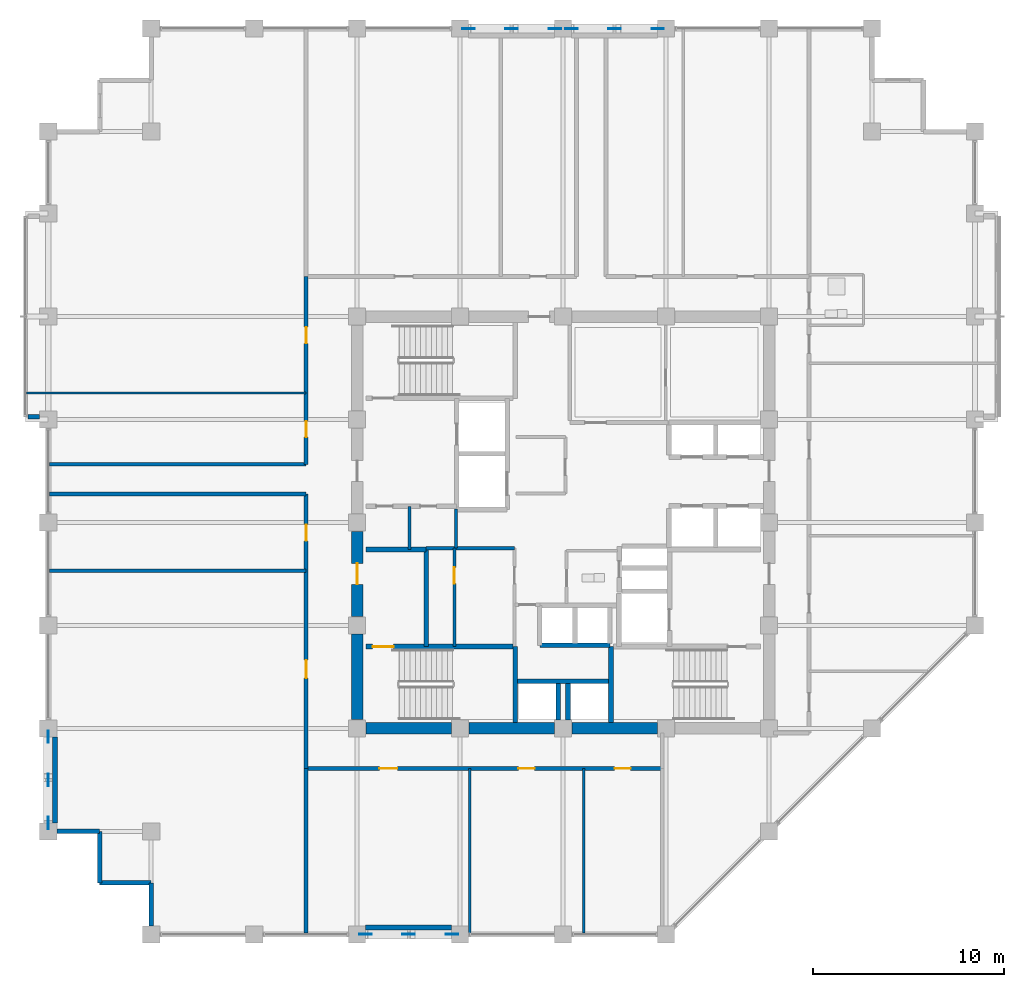
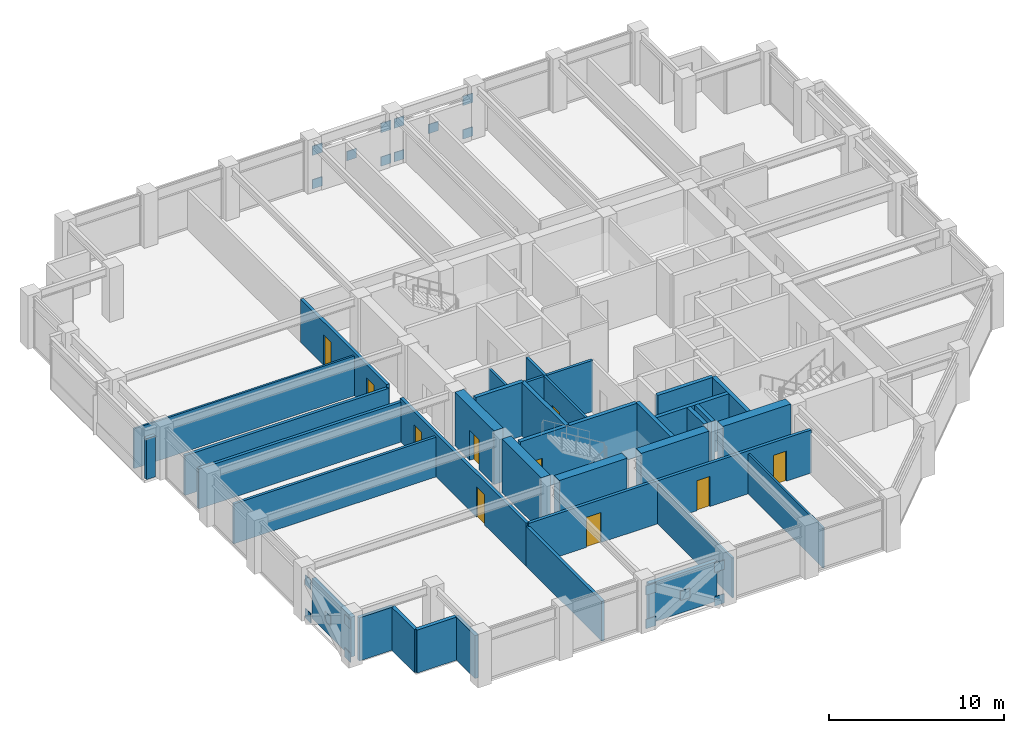
# One storey, part 26 of 32: 35 walls, 20 plates, 10 doors, 10 openings.
"""IFC4 building model written with IfcOpenShell, lengths in metres."""

import ifcopenshell
import ifcopenshell.guid

model = None  # the IFC model being written
_history = None  # IfcOwnerHistory: only IFC2X3 demands one
_inside = {}  # id of a spatial element -> (the spatial element, [elements in it])
_under = {}  # id of a project, library or spatial element -> (it, [spatial elements below it])
_declared = {}  # id of a project -> (the project, [libraries it declares])
_typed = {}  # id of a type object -> (the type object, [elements of that type])
_made_of = {}  # id of a material, layer set ... -> (it, [elements and type objects made of it])


def new_model(schema):
    """Start an empty IFC model of exactly this schema.

    Asked for "IFC4X3", IfcOpenShell would pick the latest addendum, in which some entities
    have other attributes; the version numbers below select the first issue.
    IFC2X3 requires an IfcOwnerHistory on every rooted entity: one is made here for all.
    """
    global model, _history
    if schema == "IFC4X3":
        model = ifcopenshell.file(schema_version=(4, 3, 0, 0))
    else:
        model = ifcopenshell.file(schema=schema)
    _inside.clear()
    _under.clear()
    _declared.clear()
    _typed.clear()
    _made_of.clear()
    _history = None
    if model.schema == "IFC2X3":
        org = make("IfcOrganization", Name="unknown")
        user = make(
            "IfcPersonAndOrganization",
            ThePerson=make("IfcPerson", FamilyName="unknown"),
            TheOrganization=org,
        )
        app = make(
            "IfcApplication",
            ApplicationDeveloper=org,
            Version="unknown",
            ApplicationFullName="unknown",
            ApplicationIdentifier="unknown",
        )
        _history = make(
            "IfcOwnerHistory",
            OwningUser=user,
            OwningApplication=app,
            ChangeAction="ADDED",
            CreationDate=0,
        )
    return model


def make(cls, **values):
    """One entity of the class cls with the attributes given. An attribute that is None is left unset."""
    return model.create_entity(
        cls, **{name: value for name, value in values.items() if value is not None}
    )


def rooted(cls, **values):
    """An entity with a GlobalId (a new one), such as an element, a storey or a relation."""
    return make(cls, GlobalId=ifcopenshell.guid.new(), OwnerHistory=_history, **values)


def si_unit(unit_type, name, prefix=None):
    """IfcSIUnit, for example si_unit("LENGTHUNIT", "METRE", prefix="MILLI")."""
    return make("IfcSIUnit", UnitType=unit_type, Prefix=prefix, Name=name)


def assignment(units):
    """IfcUnitAssignment: the units of a project."""
    return None if units is None else make("IfcUnitAssignment", Units=units)


def point(xyz):
    """IfcCartesianPoint."""
    return None if xyz is None else make("IfcCartesianPoint", Coordinates=xyz)


def direction(xyz):
    """IfcDirection."""
    return None if xyz is None else make("IfcDirection", DirectionRatios=xyz)


def frame(location, z_axis=None, x_axis=None):
    """IfcAxis2Placement3D, a coordinate frame: its origin and axes. An axis left out is left unset."""
    return make(
        "IfcAxis2Placement3D",
        Location=point(location),
        Axis=direction(z_axis),
        RefDirection=direction(x_axis),
    )


def frame_2d(location, x_axis=None):
    """IfcAxis2Placement2D, a coordinate frame in the plane: its origin and x axis."""
    return make(
        "IfcAxis2Placement2D", Location=point(location), RefDirection=direction(x_axis)
    )


def origin():
    """The frame at (0, 0, 0) with its axes left unset."""
    return frame((0.0, 0.0, 0.0))


def origin_2d():
    """The frame at (0, 0) in the plane with its x axis left unset."""
    return frame_2d((0.0, 0.0))


def place(relative_to, where):
    """IfcLocalPlacement: puts the frame where relative to a parent placement (None: the world)."""
    return make(
        "IfcLocalPlacement", PlacementRelTo=relative_to, RelativePlacement=where
    )


def context(
    kind, dimensions, precision=None, world=None, true_north=None, identifier=None
):
    """IfcGeometricRepresentationContext, for example the 3D "Model" context."""
    return make(
        "IfcGeometricRepresentationContext",
        ContextIdentifier=identifier,
        ContextType=kind,
        CoordinateSpaceDimension=dimensions,
        Precision=precision,
        WorldCoordinateSystem=world,
        TrueNorth=true_north,
    )


def subcontext(parent, identifier, kind, view, scale=None):
    """IfcGeometricRepresentationSubContext, for example "Body" below "Model"."""
    return make(
        "IfcGeometricRepresentationSubContext",
        ContextIdentifier=identifier,
        ContextType=kind,
        ParentContext=parent,
        TargetScale=scale,
        TargetView=view,
    )


def project(units=None, contexts=None):
    """IfcProject with its units and contexts."""
    return rooted(
        "IfcProject",
        Name="project",
        RepresentationContexts=contexts,
        UnitsInContext=assignment(units),
    )


def spatial(cls, under=None, at=None, **own):
    """A site, building, storey or space (cls), placed at a placement, below another one or the project."""
    s = rooted(cls, ObjectPlacement=at, **own)
    if under is not None:
        _under.setdefault(under.id(), (under, []))[1].append(s)
    return s


def profile(cls, at=None, kind="AREA", **sizes):
    """A parametric profile (cls). Its sizes go by their IFC names, for example OverallWidth=200.0."""
    return make(cls, ProfileType=kind, Position=at, **sizes)


def rectangle(**sizes):
    """IfcRectangleProfileDef."""
    return profile("IfcRectangleProfileDef", **sizes)


def extrude(swept, where, along, depth):
    """IfcExtrudedAreaSolid: the profile swept, set in the frame where, extruded along a direction by depth."""
    return make(
        "IfcExtrudedAreaSolid",
        SweptArea=swept,
        Position=where,
        ExtrudedDirection=direction(along),
        Depth=depth,
    )


def shape(context_of_items, identifier, shape_type, items):
    """IfcShapeRepresentation: the items that make up one representation, for example the "Body"."""
    return make(
        "IfcShapeRepresentation",
        ContextOfItems=context_of_items,
        RepresentationIdentifier=identifier,
        RepresentationType=shape_type,
        Items=items,
    )


def material(Name=None, Category=None):
    """IfcMaterial."""
    return make("IfcMaterial", Name=Name, Category=Category)


def layer(
    of_material, thickness, ventilated=None, Name=None, Category=None, Priority=None
):
    """IfcMaterialLayer: one layer of a wall or slab, of a material (None: an air gap)."""
    return make(
        "IfcMaterialLayer",
        Material=of_material,
        LayerThickness=thickness,
        IsVentilated=ventilated,
        Name=Name,
        Category=Category,
        Priority=Priority,
    )


def layer_set(layers, Name=None):
    """IfcMaterialLayerSet."""
    return make("IfcMaterialLayerSet", MaterialLayers=layers, LayerSetName=Name)


def made_of(thing, what):
    """Note that an element or type object is made of a material, layer set ...; save() writes the relation."""
    if what is not None:
        _made_of.setdefault(what.id(), (what, []))[1].append(thing)
    return thing


def type_object(cls, material=None, **own):
    """A type object (cls), such as IfcWallType, which elements share."""
    return made_of(rooted(cls, **own), material)


def element(
    cls,
    number,
    at=None,
    inside=None,
    cuts=None,
    type_object=None,
    material=None,
    context=None,
    identifier="Body",
    shape_type=None,
    held_by="IfcProductDefinitionShape",
    body=None,
    shapes=None,
    **own,
):
    """One element of the class cls, such as IfcWall. Its Tag is "e" and its number.

    at: its placement. inside: the storey or other place that contains it. cuts: it is an
    opening in that element (IfcRelVoidsElement). A single representation is given by context,
    identifier, shape_type and body (its items); several are given by shapes. held_by: the class
    of the entity that holds the representations. save() writes the other relations.
    """
    e = rooted(cls, Tag="e%d" % number, ObjectPlacement=at, **own)
    if body is not None:
        shapes = [shape(context, identifier, shape_type, body)]
    if shapes is not None:
        e.Representation = make(held_by, Representations=shapes)
    if inside is not None:
        _inside.setdefault(inside.id(), (inside, []))[1].append(e)
    if cuts is not None:
        rooted(
            "IfcRelVoidsElement", RelatingBuildingElement=cuts, RelatedOpeningElement=e
        )
    if type_object is not None:
        _typed.setdefault(type_object.id(), (type_object, []))[1].append(e)
    return made_of(e, material)


def fill(opening, filler):
    """IfcRelFillsElement: the door or window that sits in an opening."""
    return rooted(
        "IfcRelFillsElement",
        RelatingOpeningElement=opening,
        RelatedBuildingElement=filler,
    )


def aggregate(whole, parts):
    """IfcRelAggregates: a whole, such as a stair, and the parts it consists of."""
    return rooted("IfcRelAggregates", RelatingObject=whole, RelatedObjects=parts)


def save(model, path):
    """Write the relations noted so far, then the file.

    IfcRelAggregates (storeys below a building ...), IfcRelContainedInSpatialStructure (elements
    in a storey), IfcRelDefinesByType, IfcRelAssociatesMaterial and IfcRelDeclares: one each for
    every whole, place, type object, material and project.
    """
    for whole, parts in _under.values():
        aggregate(whole, parts)
    for where, things in _inside.values():
        rooted(
            "IfcRelContainedInSpatialStructure",
            RelatedElements=things,
            RelatingStructure=where,
        )
    for kind, things in _typed.values():
        rooted("IfcRelDefinesByType", RelatedObjects=things, RelatingType=kind)
    for what, things in _made_of.values():
        rooted("IfcRelAssociatesMaterial", RelatedObjects=things, RelatingMaterial=what)
    for by, libraries in _declared.values():
        rooted("IfcRelDeclares", RelatingContext=by, RelatedDefinitions=libraries)
    model.write(path)


model = new_model("IFC4")

# Units and contexts
model_context = context("Model", 3, precision=1e-05, world=origin(), true_north=direction((0.0, 1.0)))
body_context = subcontext(model_context, "Body", "Model", "MODEL_VIEW")
ifc_project = project(units=[si_unit("LENGTHUNIT", "METRE"), si_unit("AREAUNIT", "SQUARE_METRE"), si_unit("VOLUMEUNIT", "CUBIC_METRE"), si_unit("PLANEANGLEUNIT", "RADIAN"), si_unit("MASSUNIT", "GRAM", prefix="KILO")], contexts=[model_context])

# Site, building, storey
site_placement = place(None, origin())
site = spatial("IfcSite", under=ifc_project, at=site_placement, CompositionType="ELEMENT")
building_placement = place(site_placement, origin())
building = spatial("IfcBuilding", under=site, at=building_placement, Name="Surkhivell Harbour Commons", CompositionType="ELEMENT")
storey_placement = place(building_placement, frame((0.0, 0.0, 189.75)))
storey = spatial("IfcBuildingStorey", under=building, at=storey_placement, Name="L49", CompositionType="ELEMENT", Elevation=189.75)

# Plates
ifc_material_1 = material(Name="Steel S460", Category="steel")
ifc_layer_1 = layer(ifc_material_1, 0.044921875)
ifc_layer_set_1 = layer_set([ifc_layer_1], Name="Steel S460")
plate_type = type_object("IfcPlateType", Name="PLT-GUS-650", PredefinedType="USERDEFINED", material=ifc_layer_set_1)
for number, where, z_axis, x_axis, name in (
    (1, (-4.965087890625, 25.89990234375, -0.08935546875), (0.0, 0.0, 1.0), (1.0, 0.0, 0.0), "L49 Perimeter Mega-Brace MB- Corner Gusset N-1"),
    (2, (-0.43505859375, 25.89990234375, -0.08935546875), (0.0, 0.0, 1.0), (1.0, 0.0, 0.0), "L49 Perimeter Mega-Brace MB- Corner Gusset N-2"),
    (3, (-4.965087890625, 25.89990234375, 2.25146484375), (0.0, 0.0, 1.0), (1.0, 0.0, 0.0), "L49 Perimeter Mega-Brace MB- Corner Gusset N-3"),
    (4, (-0.43505859375, 25.89990234375, 2.25146484375), (0.0, 0.0, 1.0), (1.0, 0.0, 0.0), "L49 Perimeter Mega-Brace MB- Corner Gusset N-4"),
    (5, (-2.699951171875, 25.89990234375, 1.0810546875), (0.0, 0.0, 1.0), (1.0, 0.0, 0.0), "L49 Perimeter Mega-Brace MB- Central Crossing Gusset N"),
    (6, (0.43505859375, 25.89990234375, -0.08935546875), (0.0, 0.0, 1.0), (1.0, 0.0, 0.0), "L49 Perimeter Mega-Brace MB- Corner Gusset N2-1"),
    (7, (4.965087890625, 25.89990234375, -0.08935546875), (0.0, 0.0, 1.0), (1.0, 0.0, 0.0), "L49 Perimeter Mega-Brace MB- Corner Gusset N2-2"),
    (8, (0.43505859375, 25.89990234375, 2.25146484375), (0.0, 0.0, 1.0), (1.0, 0.0, 0.0), "L49 Perimeter Mega-Brace MB- Corner Gusset N2-3"),
    (9, (4.965087890625, 25.89990234375, 2.25146484375), (0.0, 0.0, 1.0), (1.0, 0.0, 0.0), "L49 Perimeter Mega-Brace MB- Corner Gusset N2-4"),
    (10, (2.699951171875, 25.89990234375, 1.0810546875), (0.0, 0.0, 1.0), (1.0, 0.0, 0.0), "L49 Perimeter Mega-Brace MB- Central Crossing Gusset N2"),
    (11, (-10.364990234375, -21.60009765625, -0.08935546875), (0.0, 0.0, 1.0), (1.0, 0.0, 0.0), "L49 Perimeter Mega-Brace MB- Corner Gusset S-1"),
    (12, (-5.8349609375, -21.60009765625, -0.08935546875), (0.0, 0.0, 1.0), (1.0, 0.0, 0.0), "L49 Perimeter Mega-Brace MB- Corner Gusset S-2"),
    (13, (-10.364990234375, -21.60009765625, 2.25146484375), (0.0, 0.0, 1.0), (1.0, 0.0, 0.0), "L49 Perimeter Mega-Brace MB- Corner Gusset S-3"),
    (14, (-5.8349609375, -21.60009765625, 2.25146484375), (0.0, 0.0, 1.0), (1.0, 0.0, 0.0), "L49 Perimeter Mega-Brace MB- Corner Gusset S-4"),
    (15, (-8.10009765625, -21.60009765625, 1.0810546875), (0.0, 0.0, 1.0), (1.0, 0.0, 0.0), "L49 Perimeter Mega-Brace MB- Central Crossing Gusset S"),
    (16, (-27.0, -15.764892578125, -0.08935546875), (0.0, 0.0, 1.0), (0.0, 1.0, 0.0), "L49 Perimeter Mega-Brace MB- Corner Gusset W-1"),
    (17, (-27.0, -11.235107421875, -0.08935546875), (0.0, 0.0, 1.0), (0.0, 1.0, 0.0), "L49 Perimeter Mega-Brace MB- Corner Gusset W-2"),
    (18, (-27.0, -15.764892578125, 2.25146484375), (0.0, 0.0, 1.0), (0.0, 1.0, 0.0), "L49 Perimeter Mega-Brace MB- Corner Gusset W-3"),
    (19, (-27.0, -11.235107421875, 2.25146484375), (0.0, 0.0, 1.0), (0.0, 1.0, 0.0), "L49 Perimeter Mega-Brace MB- Corner Gusset W-4"),
    (20, (-27.0, -13.5, 1.0810546875), (0.0, 0.0, 1.0), (0.0, 1.0, 0.0), "L49 Perimeter Mega-Brace MB- Central Crossing Gusset W"),
):
    element("IfcPlate", number, at=place(storey_placement, frame(where, z_axis=z_axis, x_axis=x_axis)), inside=storey, type_object=plate_type, Name=name, ObjectType="GUSSET_PLATE", PredefinedType="USERDEFINED", context=body_context, shape_type="SweptSolid", body=[
        extrude(rectangle(XDim=0.64990234375, YDim=0.044921875, at=origin_2d()), origin(), (0.0, 0.0, 1.0), 0.64990234375),
    ])

# Walls
ifc_material_2 = material(Name="Concrete C60/75", Category="concrete")
ifc_layer_2 = layer(ifc_material_2, 0.60009765625)
ifc_layer_set_2 = layer_set([ifc_layer_2], Name="Concrete C60/75")
wall_type_1 = type_object("IfcWallType", Name="WAL-CORE-600", PredefinedType="SHEAR", material=ifc_layer_set_2)
for number, where, z_axis, x_axis, name in (
    (21, (-10.340087890625, -10.800048828125, 0.0), (0.0, 0.0, 1.0), (1.0, 0.0, 0.0), "L49 Core Shear Wall South 1"),
    (22, (-10.800048828125, -10.340087890625, 0.0), (0.0, 0.0, 1.0), (0.0, 1.0, 0.0), "L49 Core Shear Wall West 1"),
    (23, (-4.93994140625, -10.800048828125, 0.0), (0.0, 0.0, 1.0), (1.0, 0.0, 0.0), "L49 Core Shear Wall South 2"),
):
    element("IfcWall", number, at=place(storey_placement, frame(where, z_axis=z_axis, x_axis=x_axis)), inside=storey, type_object=wall_type_1, Name=name, PredefinedType="SHEAR", context=body_context, shape_type="SweptSolid", body=[
        extrude(rectangle(XDim=4.47998046875, YDim=0.60009765625, at=frame_2d((2.239990234375, 0.0))), origin(), (0.0, 0.0, 1.0), 3.75),
    ])

# Wall, opening, door
wall_1_placement = place(storey_placement, frame((-10.800048828125, -4.93994140625, 0.0), z_axis=(0.0, 0.0, 1.0), x_axis=(0.0, 1.0, 0.0)))
wall_1 = element("IfcWall", 24, at=wall_1_placement, inside=storey, type_object=wall_type_1, Name="L49 Core Shear Wall West 2", PredefinedType="SHEAR", context=body_context, shape_type="SweptSolid", body=[
    extrude(rectangle(XDim=4.47998046875, YDim=0.60009765625, at=frame_2d((2.239990234375, 0.0))), origin(), (0.0, 0.0, 1.0), 3.75),
])
opening_1_placement = place(wall_1_placement, frame((1.68994140625, 0.0, 0.0)))
opening_1 = element("IfcOpeningElement", 25, at=opening_1_placement, cuts=wall_1, Name="Opening ID-2", PredefinedType="OPENING", context=body_context, shape_type="SweptSolid", body=[
    extrude(rectangle(XDim=1.10009765625, YDim=2.10009765625, at=frame_2d((0.550048828125, 1.050048828125))), frame((0.0, 0.31005859375, 0.0), z_axis=(0.0, -1.0, 0.0), x_axis=(1.0, 0.0, 0.0)), (0.0, 0.0, 1.0), 0.6201171875),
])
ifc_material_3 = material(Name="Hardwood-veneered fire-rated door leaf", Category="wood")
door_type_1 = type_object("IfcDoorType", Name="DOR-FD60-1100", OperationType="NOTDEFINED", PredefinedType="DOOR", material=ifc_material_3)
door_1_placement = place(opening_1_placement, origin())
door_1 = element("IfcDoor", 26, at=door_1_placement, inside=storey, type_object=door_type_1, Name="L49 Stair 3 Lobby Corridor Door", OperationType="SINGLE_SWING_LEFT", OverallHeight=2.10009765625, OverallWidth=1.10009765625, PredefinedType="DOOR", context=body_context, shape_type="SweptSolid", body=[
    extrude(rectangle(XDim=1.10009765625, YDim=2.10009765625, at=frame_2d((0.550048828125, 1.050048828125))), frame((0.0, 0.02490234375, 0.0), z_axis=(0.0, -1.0, 0.0), x_axis=(1.0, 0.0, 0.0)), (0.0, 0.0, 1.0), 0.050048828125),
])
fill(opening_1, door_1)

# Walls
wall_2_placement = place(storey_placement, frame((0.4599609375, -10.800048828125, 0.0), z_axis=(0.0, 0.0, 1.0), x_axis=(1.0, 0.0, 0.0)))
element("IfcWall", 27, at=wall_2_placement, inside=storey, type_object=wall_type_1, Name="L49 Core Shear Wall South 3", PredefinedType="SHEAR", context=body_context, shape_type="SweptSolid", body=[
    extrude(rectangle(XDim=4.47998046875, YDim=0.60009765625, at=frame_2d((2.239990234375, 0.0))), origin(), (0.0, 0.0, 1.0), 3.75),
])
ifc_material_4 = material(Name="Pale-metal insulated precast concrete C45/55", Category="concrete")
ifc_layer_3 = layer(ifc_material_4, 0.260009765625)
ifc_layer_set_3 = layer_set([ifc_layer_3], Name="Pale-metal insulated precast concrete C45/55")
wall_type_2 = type_object("IfcWallType", Name="WAL-EXT-MTL260", PredefinedType="STANDARD", material=ifc_layer_set_3)
wall_3_placement = place(storey_placement, frame((-10.35205078125, -21.239990234375, 0.0), z_axis=(0.0, 0.0, 1.0), x_axis=(1.0, 0.0, 0.0)))
element("IfcWall", 28, at=wall_3_placement, inside=storey, type_object=wall_type_2, Name="L49 Braced-Bay Insulated Spandrel Backing S", PredefinedType="STANDARD", context=body_context, shape_type="SweptSolid", body=[
    extrude(rectangle(XDim=4.504150390625, YDim=0.260009765625, at=frame_2d((2.251953125, 0.0))), origin(), (0.0, 0.0, 1.0), 2.780029296875),
])
wall_4_placement = place(storey_placement, frame((-26.639892578125, -15.751953125, 0.0), z_axis=(0.0, 0.0, 1.0), x_axis=(0.0, 1.0, 0.0)))
element("IfcWall", 29, at=wall_4_placement, inside=storey, type_object=wall_type_2, Name="L49 Braced-Bay Insulated Spandrel Backing W", PredefinedType="STANDARD", context=body_context, shape_type="SweptSolid", body=[
    extrude(rectangle(XDim=4.50390625, YDim=0.260009765625, at=frame_2d((2.251953125, 0.0))), origin(), (0.0, 0.0, 1.0), 2.780029296875),
])
ifc_material_5 = material(Name="Bronze-ochre cassette precast concrete C45/55", Category="concrete")
ifc_layer_4 = layer(ifc_material_5, 0.239990234375)
ifc_layer_set_4 = layer_set([ifc_layer_4], Name="Bronze-ochre cassette precast concrete C45/55")
wall_type_3 = type_object("IfcWallType", Name="WAL-EXT-OCH240", PredefinedType="STANDARD", material=ifc_layer_set_4)
wall_5_placement = place(storey_placement, frame((-28.06005859375, 5.5400390625, 0.0), z_axis=(0.0, 0.0, 1.0), x_axis=(1.0, 0.0, 0.0)))
element("IfcWall", 30, at=wall_5_placement, inside=storey, type_object=wall_type_3, Name="L49 Coloured Box Return Wall 02S", PredefinedType="STANDARD", context=body_context, shape_type="SweptSolid", body=[
    extrude(rectangle(XDim=0.60595703125, YDim=0.239990234375, at=frame_2d((0.302978515625, 0.0))), origin(), (0.0, 0.0, 1.0), 2.85693359375),
])
wall_6_placement = place(storey_placement, frame((-26.552001953125, -16.199951171875, 0.0), z_axis=(0.0, 0.0, 1.0), x_axis=(1.0, 0.0, 0.0)))
element("IfcWall", 31, at=wall_6_placement, inside=storey, type_object=wall_type_3, Name="L49 Serrated Corner Facade Wall 13", PredefinedType="STANDARD", context=body_context, shape_type="SweptSolid", body=[
    extrude(rectangle(XDim=2.251953125, YDim=0.239990234375, at=frame_2d((1.1259765625, 0.0))), origin(), (0.0, 0.0, 1.0), 3.006103515625),
])
for number, where, z_axis, x_axis, name in (
    (32, (-24.300048828125, -16.199951171875, 0.0), (0.0, 0.0, 1.0), (0.0, -1.0, 0.0), "L49 Serrated Corner Facade Wall 14"),
    (33, (-24.300048828125, -18.89990234375, 0.0), (0.0, 0.0, 1.0), (1.0, 0.0, 0.0), "L49 Serrated Corner Facade Wall 15"),
):
    element("IfcWall", number, at=place(storey_placement, frame(where, z_axis=z_axis, x_axis=x_axis)), inside=storey, type_object=wall_type_3, Name=name, PredefinedType="STANDARD", context=body_context, shape_type="SweptSolid", body=[
        extrude(rectangle(XDim=2.699951171875, YDim=0.239990234375, at=frame_2d((1.35009765625, 0.0))), origin(), (0.0, 0.0, 1.0), 3.006103515625),
    ])
wall_7_placement = place(storey_placement, frame((-21.60009765625, -18.89990234375, 0.0), z_axis=(0.0, 0.0, 1.0), x_axis=(0.0, -1.0, 0.0)))
element("IfcWall", 34, at=wall_7_placement, inside=storey, type_object=wall_type_3, Name="L49 Serrated Corner Facade Wall 16", PredefinedType="STANDARD", context=body_context, shape_type="SweptSolid", body=[
    extrude(rectangle(XDim=2.252197265625, YDim=0.239990234375, at=frame_2d((1.1259765625, 0.0))), origin(), (0.0, 0.0, 1.0), 3.006103515625),
])
ifc_material_6 = material(Name="Moisture-resistant acoustic stud partition", Category="other")
ifc_layer_5 = layer(ifc_material_6, 0.125)
ifc_layer_set_5 = layer_set([ifc_layer_5], Name="Moisture-resistant acoustic stud partition")
wall_type_4 = type_object("IfcWallType", Name="WAL-INT-125", PredefinedType="PARTITIONING", material=ifc_layer_set_5)
for number, where, z_axis, x_axis, name in (
    (35, (-4.889892578125, -21.5400390625, 0.0), (0.0, 0.0, 1.0), (0.0, 1.0, 0.0), "L49 South Partition P1"),
    (36, (1.090087890625, -21.5400390625, 0.0), (0.0, 0.0, 1.0), (0.0, 1.0, 0.0), "L49 South Partition P2"),
):
    element("IfcWall", number, at=place(storey_placement, frame(where, z_axis=z_axis, x_axis=x_axis)), inside=storey, type_object=wall_type_4, Name=name, PredefinedType="PARTITIONING", context=body_context, shape_type="SweptSolid", body=[
        extrude(rectangle(XDim=8.64013671875, YDim=0.125, at=frame_2d((4.320068359375, 0.0))), origin(), (0.0, 0.0, 1.0), 2.780029296875),
    ])
wall_8_placement = place(storey_placement, frame((-28.139892578125, 6.7900390625, 0.0), z_axis=(0.0, 0.0, 1.0), x_axis=(1.0, 0.0, 0.0)))
element("IfcWall", 37, at=wall_8_placement, inside=storey, type_object=wall_type_4, Name="L49 North-West Partition P1", PredefinedType="PARTITIONING", context=body_context, shape_type="SweptSolid", body=[
    extrude(rectangle(XDim=14.659912109375, YDim=0.125, at=frame_2d((7.330078125, 0.0))), origin(), (0.0, 0.0, 1.0), 2.780029296875),
])

# Wall, opening, door
ifc_material_7 = material(Name="Twin-stud acoustic fireboard partition", Category="other")
ifc_layer_6 = layer(ifc_material_7, 0.14990234375)
ifc_layer_set_6 = layer_set([ifc_layer_6], Name="Twin-stud acoustic fireboard partition")
wall_type_5 = type_object("IfcWallType", Name="WAL-INT-150", PredefinedType="PARTITIONING", material=ifc_layer_set_6)
wall_9_placement = place(storey_placement, frame((-5.699951171875, -6.510009765625, 0.0), z_axis=(0.0, 0.0, 1.0), x_axis=(0.0, 1.0, 0.0)))
wall_9 = element("IfcWall", 38, at=wall_9_placement, inside=storey, type_object=wall_type_5, Name="L49 Core Cut B Partition", PredefinedType="PARTITIONING", context=body_context, shape_type="SweptSolid", body=[
    extrude(rectangle(XDim=5.159912109375, YDim=0.14990234375, at=frame_2d((2.580078125, 0.0))), origin(), (0.0, 0.0, 1.0), 3.570068359375),
])
opening_2_placement = place(wall_9_placement, frame((3.300048828125, 0.0, 0.0)))
opening_2 = element("IfcOpeningElement", 39, at=opening_2_placement, cuts=wall_9, Name="Opening ID-6", PredefinedType="OPENING", context=body_context, shape_type="SweptSolid", body=[
    extrude(rectangle(XDim=0.85009765625, YDim=2.10009765625, at=frame_2d((0.425048828125, 1.050048828125))), frame((0.0, 0.0849609375, 0.0), z_axis=(0.0, -1.0, 0.0), x_axis=(1.0, 0.0, 0.0)), (0.0, 0.0, 1.0), 0.169921875),
])
door_type_2 = type_object("IfcDoorType", Name="DOR-FD30-850", OperationType="NOTDEFINED", PredefinedType="DOOR", material=ifc_material_3)
door_2_placement = place(opening_2_placement, origin())
door_2 = element("IfcDoor", 40, at=door_2_placement, inside=storey, type_object=door_type_2, Name="L49 Core Focus Study Door", OperationType="SINGLE_SWING_RIGHT", OverallHeight=2.10009765625, OverallWidth=0.85009765625, PredefinedType="DOOR", context=body_context, shape_type="SweptSolid", body=[
    extrude(rectangle(XDim=0.85009765625, YDim=2.10009765625, at=frame_2d((0.425048828125, 1.050048828125))), frame((0.0, 0.02490234375, 0.0), z_axis=(0.0, -1.0, 0.0), x_axis=(1.0, 0.0, 0.0)), (0.0, 0.0, 1.0), 0.050048828125),
])
fill(opening_2, door_2)

# Walls
wall_10_placement = place(storey_placement, frame((-8.050048828125, -1.419921875, 0.0), z_axis=(0.0, 0.0, 1.0), x_axis=(0.0, 1.0, 0.0)))
element("IfcWall", 41, at=wall_10_placement, inside=storey, type_object=wall_type_5, Name="L49 West Seminar Booth Divider", PredefinedType="PARTITIONING", context=body_context, shape_type="SweptSolid", body=[
    extrude(rectangle(XDim=2.27001953125, YDim=0.14990234375, at=frame_2d((1.135009765625, 0.0))), origin(), (0.0, 0.0, 1.0), 3.570068359375),
])
ifc_material_8 = material(Name="High-density acoustic blockwork fire partition", Category="masonry")
ifc_layer_7 = layer(ifc_material_8, 0.175048828125)
ifc_layer_set_7 = layer_set([ifc_layer_7], Name="High-density acoustic blockwork fire partition")
wall_type_6 = type_object("IfcWallType", Name="WAL-INT-175", PredefinedType="PARTITIONING", material=ifc_layer_set_7)
wall_11_placement = place(storey_placement, frame((-7.179931640625, -1.35009765625, 0.0), z_axis=(0.0, 0.0, 1.0), x_axis=(1.0, 0.0, 0.0)))
element("IfcWall", 42, at=wall_11_placement, inside=storey, type_object=wall_type_6, Name="L49 Core Service Bay North Wall", PredefinedType="PARTITIONING", context=body_context, shape_type="SweptSolid", body=[
    extrude(rectangle(XDim=4.6298828125, YDim=0.175048828125, at=frame_2d((2.31494140625, 0.0))), origin(), (0.0, 0.0, 1.0), 3.570068359375),
])
wall_12_placement = place(storey_placement, frame((-5.6201171875, -1.35009765625, 0.0), z_axis=(0.0, 0.0, 1.0), x_axis=(0.0, 1.0, 0.0)))
element("IfcWall", 43, at=wall_12_placement, inside=storey, type_object=wall_type_6, Name="L49 West Core Bay East Wall", PredefinedType="PARTITIONING", context=body_context, shape_type="SweptSolid", body=[
    extrude(rectangle(XDim=2.070068359375, YDim=0.175048828125, at=frame_2d((1.03515625, 0.0))), origin(), (0.0, 0.0, 1.0), 3.570068359375),
])
wall_13_placement = place(storey_placement, frame((-26.93994140625, -2.530029296875, 0.0), z_axis=(0.0, 0.0, 1.0), x_axis=(1.0, 0.0, 0.0)))
element("IfcWall", 44, at=wall_13_placement, inside=storey, type_object=wall_type_6, Name="L49 South-West Partition P1", PredefinedType="PARTITIONING", context=body_context, shape_type="SweptSolid", body=[
    extrude(rectangle(XDim=13.4599609375, YDim=0.175048828125, at=frame_2d((6.72998046875, 0.0))), origin(), (0.0, 0.0, 1.0), 2.780029296875),
])
ifc_material_9 = material(Name="Autoclaved aerated concrete blockwork and fire plaster", Category="masonry")
ifc_layer_8 = layer(ifc_material_9, 0.199951171875)
ifc_layer_set_8 = layer_set([ifc_layer_8], Name="Autoclaved aerated concrete blockwork and fire plaster")
wall_type_7 = type_object("IfcWallType", Name="WAL-INT-200", PredefinedType="PARTITIONING", material=ifc_layer_set_8)
wall_14_placement = place(storey_placement, frame((-13.47998046875, -21.5400390625, 0.0), z_axis=(0.0, 0.0, 1.0), x_axis=(0.0, 1.0, 0.0)))
element("IfcWall", 45, at=wall_14_placement, inside=storey, type_object=wall_type_7, Name="L49 South-West Corner Wall", PredefinedType="PARTITIONING", context=body_context, shape_type="SweptSolid", body=[
    extrude(rectangle(XDim=8.64013671875, YDim=0.199951171875, at=frame_2d((4.320068359375, 0.0))), origin(), (0.0, 0.0, 1.0), 2.780029296875),
])

# Wall, openings, doors
wall_15_placement = place(storey_placement, frame((-13.47998046875, -12.89990234375, 0.0), z_axis=(0.0, 0.0, 1.0), x_axis=(1.0, 0.0, 0.0)))
wall_15 = element("IfcWall", 46, at=wall_15_placement, inside=storey, type_object=wall_type_7, Name="L49 Corridor South Wall", PredefinedType="PARTITIONING", context=body_context, shape_type="SweptSolid", body=[
    extrude(rectangle(XDim=18.679931640625, YDim=0.199951171875, at=frame_2d((9.33984375, 0.0))), origin(), (0.0, 0.0, 1.0), 3.006103515625),
])
opening_3_placement = place(wall_15_placement, frame((3.844970703125, 0.0, 0.0)))
opening_3 = element("IfcOpeningElement", 47, at=opening_3_placement, cuts=wall_15, Name="Opening ID-4", PredefinedType="OPENING", context=body_context, shape_type="SweptSolid", body=[
    extrude(rectangle(XDim=0.949951171875, YDim=2.10009765625, at=frame_2d((0.47509765625, 1.050048828125))), frame((0.0, 0.10986328125, 0.0), z_axis=(0.0, -1.0, 0.0), x_axis=(1.0, 0.0, 0.0)), (0.0, 0.0, 1.0), 0.219970703125),
])
opening_4_placement = place(wall_15_placement, frame((11.1298828125, 0.0, 0.0)))
opening_4 = element("IfcOpeningElement", 48, at=opening_4_placement, cuts=wall_15, Name="Opening ID-6", PredefinedType="OPENING", context=body_context, shape_type="SweptSolid", body=[
    extrude(rectangle(XDim=0.85009765625, YDim=2.10009765625, at=frame_2d((0.425048828125, 1.050048828125))), frame((0.0, 0.10986328125, 0.0), z_axis=(0.0, -1.0, 0.0), x_axis=(1.0, 0.0, 0.0)), (0.0, 0.0, 1.0), 0.219970703125),
])
opening_5_placement = place(wall_15_placement, frame((16.175048828125, 0.0, 0.0)))
opening_5 = element("IfcOpeningElement", 49, at=opening_5_placement, cuts=wall_15, Name="Opening ID-6", PredefinedType="OPENING", context=body_context, shape_type="SweptSolid", body=[
    extrude(rectangle(XDim=0.85009765625, YDim=2.10009765625, at=frame_2d((0.425048828125, 1.050048828125))), frame((0.0, 0.10986328125, 0.0), z_axis=(0.0, -1.0, 0.0), x_axis=(1.0, 0.0, 0.0)), (0.0, 0.0, 1.0), 0.219970703125),
])
door_3_placement = place(opening_4_placement, origin())
door_3 = element("IfcDoor", 50, at=door_3_placement, inside=storey, type_object=door_type_2, Name="L49 Resident Social Lounge 2 South Door", OperationType="SINGLE_SWING_LEFT", OverallHeight=2.10009765625, OverallWidth=0.85009765625, PredefinedType="DOOR", context=body_context, shape_type="SweptSolid", body=[
    extrude(rectangle(XDim=0.85009765625, YDim=2.10009765625, at=frame_2d((0.425048828125, 1.050048828125))), frame((0.0, 0.02490234375, 0.0), z_axis=(0.0, -1.0, 0.0), x_axis=(1.0, 0.0, 0.0)), (0.0, 0.0, 1.0), 0.050048828125),
])
fill(opening_4, door_3)
door_4_placement = place(opening_5_placement, origin())
door_4 = element("IfcDoor", 51, at=door_4_placement, inside=storey, type_object=door_type_2, Name="L49 Resident Social Lounge 3 South Door", OperationType="SINGLE_SWING_RIGHT", OverallHeight=2.10009765625, OverallWidth=0.85009765625, PredefinedType="DOOR", context=body_context, shape_type="SweptSolid", body=[
    extrude(rectangle(XDim=0.85009765625, YDim=2.10009765625, at=frame_2d((0.425048828125, 1.050048828125))), frame((0.0, 0.02490234375, 0.0), z_axis=(0.0, -1.0, 0.0), x_axis=(1.0, 0.0, 0.0)), (0.0, 0.0, 1.0), 0.050048828125),
])
fill(opening_5, door_4)
door_type_3 = type_object("IfcDoorType", Name="DOR-FD60-950", OperationType="NOTDEFINED", PredefinedType="DOOR", material=ifc_material_3)
door_5_placement = place(opening_3_placement, origin())
door_5 = element("IfcDoor", 52, at=door_5_placement, inside=storey, type_object=door_type_3, Name="L49 Resident Social Lounge 1 South Door", OperationType="SINGLE_SWING_RIGHT", OverallHeight=2.10009765625, OverallWidth=0.949951171875, PredefinedType="DOOR", context=body_context, shape_type="SweptSolid", body=[
    extrude(rectangle(XDim=0.949951171875, YDim=2.10009765625, at=frame_2d((0.47509765625, 1.050048828125))), frame((0.0, 0.02490234375, 0.0), z_axis=(0.0, -1.0, 0.0), x_axis=(1.0, 0.0, 0.0)), (0.0, 0.0, 1.0), 0.050048828125),
])
fill(opening_3, door_5)

# Walls
for number, where, z_axis, x_axis, name in (
    (53, (-26.93994140625, 3.050048828125, 0.0), (0.0, 0.0, 1.0), (1.0, 0.0, 0.0), "L49 West Spur North Wall"),
    (54, (-26.93994140625, 1.5, 0.0), (0.0, 0.0, 1.0), (1.0, 0.0, 0.0), "L49 West Spur South Wall"),
):
    element("IfcWall", number, at=place(storey_placement, frame(where, z_axis=z_axis, x_axis=x_axis)), inside=storey, type_object=wall_type_7, Name=name, PredefinedType="PARTITIONING", context=body_context, shape_type="SweptSolid", body=[
        extrude(rectangle(XDim=13.4599609375, YDim=0.199951171875, at=frame_2d((6.72998046875, 0.0))), origin(), (0.0, 0.0, 1.0), 2.780029296875),
    ])

# Wall, openings, doors
wall_16_placement = place(storey_placement, frame((-13.47998046875, 3.050048828125, 0.0), z_axis=(0.0, 0.0, 1.0), x_axis=(0.0, 1.0, 0.0)))
wall_16 = element("IfcWall", 55, at=wall_16_placement, inside=storey, type_object=wall_type_7, Name="L49 Corridor West-Upper Wall", PredefinedType="PARTITIONING", context=body_context, shape_type="SweptSolid", body=[
    extrude(rectangle(XDim=9.849853515625, YDim=0.199951171875, at=frame_2d((4.9248046875, 0.0))), origin(), (0.0, 0.0, 1.0), 3.006103515625),
])
opening_6_placement = place(wall_16_placement, frame((1.419921875, 0.0, 0.0)))
opening_6 = element("IfcOpeningElement", 56, at=opening_6_placement, cuts=wall_16, Name="Opening ID-6", PredefinedType="OPENING", context=body_context, shape_type="SweptSolid", body=[
    extrude(rectangle(XDim=0.85009765625, YDim=2.10009765625, at=frame_2d((0.425048828125, 1.050048828125))), frame((0.0, 0.10986328125, 0.0), z_axis=(0.0, -1.0, 0.0), x_axis=(1.0, 0.0, 0.0)), (0.0, 0.0, 1.0), 0.219970703125),
])
opening_7_placement = place(wall_16_placement, frame((6.344970703125, 0.0, 0.0)))
opening_7 = element("IfcOpeningElement", 57, at=opening_7_placement, cuts=wall_16, Name="Opening ID-6", PredefinedType="OPENING", context=body_context, shape_type="SweptSolid", body=[
    extrude(rectangle(XDim=0.85009765625, YDim=2.10009765625, at=frame_2d((0.425048828125, 1.050048828125))), frame((0.0, 0.10986328125, 0.0), z_axis=(0.0, -1.0, 0.0), x_axis=(1.0, 0.0, 0.0)), (0.0, 0.0, 1.0), 0.219970703125),
])
door_6_placement = place(opening_6_placement, origin())
door_6 = element("IfcDoor", 58, at=door_6_placement, inside=storey, type_object=door_type_2, Name="L49 Harbour Reading Library North-West Door", OperationType="SINGLE_SWING_LEFT", OverallHeight=2.10009765625, OverallWidth=0.85009765625, PredefinedType="DOOR", context=body_context, shape_type="SweptSolid", body=[
    extrude(rectangle(XDim=0.85009765625, YDim=2.10009765625, at=frame_2d((0.425048828125, 1.050048828125))), frame((0.0, 0.02490234375, 0.0), z_axis=(0.0, -1.0, 0.0), x_axis=(1.0, 0.0, 0.0)), (0.0, 0.0, 1.0), 0.050048828125),
])
fill(opening_6, door_6)
door_7_placement = place(opening_7_placement, origin())
door_7 = element("IfcDoor", 59, at=door_7_placement, inside=storey, type_object=door_type_2, Name="L49 Communal Dining Hall North-West Door", OperationType="SINGLE_SWING_RIGHT", OverallHeight=2.10009765625, OverallWidth=0.85009765625, PredefinedType="DOOR", context=body_context, shape_type="SweptSolid", body=[
    extrude(rectangle(XDim=0.85009765625, YDim=2.10009765625, at=frame_2d((0.425048828125, 1.050048828125))), frame((0.0, 0.02490234375, 0.0), z_axis=(0.0, -1.0, 0.0), x_axis=(1.0, 0.0, 0.0)), (0.0, 0.0, 1.0), 0.050048828125),
])
fill(opening_7, door_7)

wall_17_placement = place(storey_placement, frame((-13.47998046875, -12.89990234375, 0.0), z_axis=(0.0, 0.0, 1.0), x_axis=(0.0, 1.0, 0.0)))
wall_17 = element("IfcWall", 60, at=wall_17_placement, inside=storey, type_object=wall_type_7, Name="L49 Corridor West-Lower Wall", PredefinedType="PARTITIONING", context=body_context, shape_type="SweptSolid", body=[
    extrude(rectangle(XDim=14.39990234375, YDim=0.199951171875, at=frame_2d((7.199951171875, 0.0))), origin(), (0.0, 0.0, 1.0), 3.006103515625),
])
opening_8_placement = place(wall_17_placement, frame((4.735107421875, 0.0, 0.0)))
opening_8 = element("IfcOpeningElement", 61, at=opening_8_placement, cuts=wall_17, Name="Opening ID-4", PredefinedType="OPENING", context=body_context, shape_type="SweptSolid", body=[
    extrude(rectangle(XDim=0.949951171875, YDim=2.10009765625, at=frame_2d((0.47509765625, 1.050048828125))), frame((0.0, 0.10986328125, 0.0), z_axis=(0.0, -1.0, 0.0), x_axis=(1.0, 0.0, 0.0)), (0.0, 0.0, 1.0), 0.219970703125),
])
opening_9_placement = place(wall_17_placement, frame((11.93505859375, 0.0, 0.0)))
opening_9 = element("IfcOpeningElement", 62, at=opening_9_placement, cuts=wall_17, Name="Opening ID-6", PredefinedType="OPENING", context=body_context, shape_type="SweptSolid", body=[
    extrude(rectangle(XDim=0.85009765625, YDim=2.10009765625, at=frame_2d((0.425048828125, 1.050048828125))), frame((0.0, 0.10986328125, 0.0), z_axis=(0.0, -1.0, 0.0), x_axis=(1.0, 0.0, 0.0)), (0.0, 0.0, 1.0), 0.219970703125),
])
door_8_placement = place(opening_9_placement, origin())
door_8 = element("IfcDoor", 63, at=door_8_placement, inside=storey, type_object=door_type_2, Name="L49 Resident Advisory Reception Desk South-West Door", OperationType="SINGLE_SWING_RIGHT", OverallHeight=2.10009765625, OverallWidth=0.85009765625, PredefinedType="DOOR", context=body_context, shape_type="SweptSolid", body=[
    extrude(rectangle(XDim=0.85009765625, YDim=2.10009765625, at=frame_2d((0.425048828125, 1.050048828125))), frame((0.0, 0.02490234375, 0.0), z_axis=(0.0, -1.0, 0.0), x_axis=(1.0, 0.0, 0.0)), (0.0, 0.0, 1.0), 0.050048828125),
])
fill(opening_9, door_8)
door_9_placement = place(opening_8_placement, origin())
door_9 = element("IfcDoor", 64, at=door_9_placement, inside=storey, type_object=door_type_3, Name="L49 Zone Concierge Reception Foyer South-West Door", OperationType="SINGLE_SWING_LEFT", OverallHeight=2.10009765625, OverallWidth=0.949951171875, PredefinedType="DOOR", context=body_context, shape_type="SweptSolid", body=[
    extrude(rectangle(XDim=0.949951171875, YDim=2.10009765625, at=frame_2d((0.47509765625, 1.050048828125))), frame((0.0, 0.02490234375, 0.0), z_axis=(0.0, -1.0, 0.0), x_axis=(1.0, 0.0, 0.0)), (0.0, 0.0, 1.0), 0.050048828125),
])
fill(opening_8, door_9)

# Walls
ifc_material_10 = material(Name="Concrete C50/60", Category="concrete")
ifc_layer_9 = layer(ifc_material_10, 0.25)
ifc_layer_set_9 = layer_set([ifc_layer_9], Name="Concrete C50/60")
wall_type_8 = type_object("IfcWallType", Name="WAL-SHAFT-250", PredefinedType="SHEAR", material=ifc_layer_set_9)
for number, where, z_axis, x_axis, name in (
    (65, (-0.25, -10.35009765625, 0.0), (0.0, 0.0, 1.0), (0.0, 1.0, 0.0), "L49 High-Rise Side Wall S"),
    (66, (0.25, -10.35009765625, 0.0), (0.0, 0.0, 1.0), (0.0, 1.0, 0.0), "L49 High-Rise Side Wall S"),
):
    element("IfcWall", number, at=place(storey_placement, frame(where, z_axis=z_axis, x_axis=x_axis)), inside=storey, type_object=wall_type_8, Name=name, PredefinedType="SHEAR", context=body_context, shape_type="SweptSolid", body=[
        extrude(rectangle(XDim=1.91015625, YDim=0.25, at=frame_2d((0.955078125, 0.0))), origin(), (0.0, 0.0, 1.0), 3.75),
    ])
wall_18_placement = place(storey_placement, frame((-1.219970703125, -6.43994140625, 0.0), z_axis=(0.0, 0.0, 1.0), x_axis=(1.0, 0.0, 0.0)))
element("IfcWall", 67, at=wall_18_placement, inside=storey, type_object=wall_type_8, Name="L49 High-Rise North Front Shaft Wall", PredefinedType="SHEAR", context=body_context, shape_type="SweptSolid", body=[
    extrude(rectangle(XDim=3.669921875, YDim=0.25, at=frame_2d((1.8349609375, 0.0))), origin(), (0.0, 0.0, 1.0), 3.75),
])
wall_19_placement = place(storey_placement, frame((-2.47998046875, -8.320068359375, 0.0), z_axis=(0.0, 0.0, 1.0), x_axis=(1.0, 0.0, 0.0)))
element("IfcWall", 68, at=wall_19_placement, inside=storey, type_object=wall_type_8, Name="L49 High-Rise South Front Shaft Wall", PredefinedType="SHEAR", context=body_context, shape_type="SweptSolid", body=[
    extrude(rectangle(XDim=4.929931640625, YDim=0.25, at=frame_2d((2.46484375, 0.0))), origin(), (0.0, 0.0, 1.0), 3.75),
])
for number, where, z_axis, x_axis, name in (
    (69, (2.510009765625, -10.5, 0.0), (0.0, 0.0, 1.0), (0.0, 1.0, 0.0), "L49 Stair ST2 West Shear Wall"),
    (70, (-2.510009765625, -10.5, 0.0), (0.0, 0.0, 1.0), (0.0, 1.0, 0.0), "L49 Stair ST3 East Shear Wall"),
):
    element("IfcWall", number, at=place(storey_placement, frame(where, z_axis=z_axis, x_axis=x_axis)), inside=storey, type_object=wall_type_8, Name=name, PredefinedType="SHEAR", context=body_context, shape_type="SweptSolid", body=[
        extrude(rectangle(XDim=3.989990234375, YDim=0.25, at=frame_2d((1.9951171875, 0.0))), origin(), (0.0, 0.0, 1.0), 3.75),
    ])
wall_20_placement = place(storey_placement, frame((-7.179931640625, -6.510009765625, 0.0), z_axis=(0.0, 0.0, 1.0), x_axis=(0.0, 1.0, 0.0)))
element("IfcWall", 71, at=wall_20_placement, inside=storey, type_object=wall_type_8, Name="L49 Stair 3 Lobby East Wall", PredefinedType="SHEAR", context=body_context, shape_type="SweptSolid", body=[
    extrude(rectangle(XDim=5.090087890625, YDim=0.25, at=frame_2d((2.544921875, 0.0))), origin(), (0.0, 0.0, 1.0), 3.75),
])
wall_21_placement = place(storey_placement, frame((-10.340087890625, -1.419921875, 0.0), z_axis=(0.0, 0.0, 1.0), x_axis=(1.0, 0.0, 0.0)))
element("IfcWall", 72, at=wall_21_placement, inside=storey, type_object=wall_type_8, Name="L49 Stair 3 Lobby North Wall", PredefinedType="SHEAR", context=body_context, shape_type="SweptSolid", body=[
    extrude(rectangle(XDim=3.16015625, YDim=0.25, at=frame_2d((1.580078125, 0.0))), origin(), (0.0, 0.0, 1.0), 3.75),
])

# Wall, opening, door
wall_22_placement = place(storey_placement, frame((-10.340087890625, -6.510009765625, 0.0), z_axis=(0.0, 0.0, 1.0), x_axis=(1.0, 0.0, 0.0)))
wall_22 = element("IfcWall", 73, at=wall_22_placement, inside=storey, type_object=wall_type_8, Name="L49 Stair ST3 North Shear Wall", PredefinedType="SHEAR", context=body_context, shape_type="SweptSolid", body=[
    extrude(rectangle(XDim=7.7001953125, YDim=0.25, at=frame_2d((3.85009765625, 0.0))), origin(), (0.0, 0.0, 1.0), 3.75),
])
opening_10_placement = place(wall_22_placement, frame((0.35009765625, 0.0, 0.0)))
opening_10 = element("IfcOpeningElement", 74, at=opening_10_placement, cuts=wall_22, Name="Opening ID-2", PredefinedType="OPENING", context=body_context, shape_type="SweptSolid", body=[
    extrude(rectangle(XDim=1.10009765625, YDim=2.10009765625, at=frame_2d((0.550048828125, 1.050048828125))), frame((0.0, 0.135009765625, 0.0), z_axis=(0.0, -1.0, 0.0), x_axis=(1.0, 0.0, 0.0)), (0.0, 0.0, 1.0), 0.27001953125),
])
door_10_placement = place(opening_10_placement, origin())
door_10 = element("IfcDoor", 75, at=door_10_placement, inside=storey, type_object=door_type_1, Name="L49 Stair ST3 Exit Door", OperationType="SINGLE_SWING_RIGHT", OverallHeight=2.10009765625, OverallWidth=1.10009765625, PredefinedType="DOOR", context=body_context, shape_type="SweptSolid", body=[
    extrude(rectangle(XDim=1.10009765625, YDim=2.10009765625, at=frame_2d((0.550048828125, 1.050048828125))), frame((0.0, 0.02490234375, 0.0), z_axis=(0.0, -1.0, 0.0), x_axis=(1.0, 0.0, 0.0)), (0.0, 0.0, 1.0), 0.050048828125),
])
fill(opening_10, door_10)

save(model, "model.ifc")
